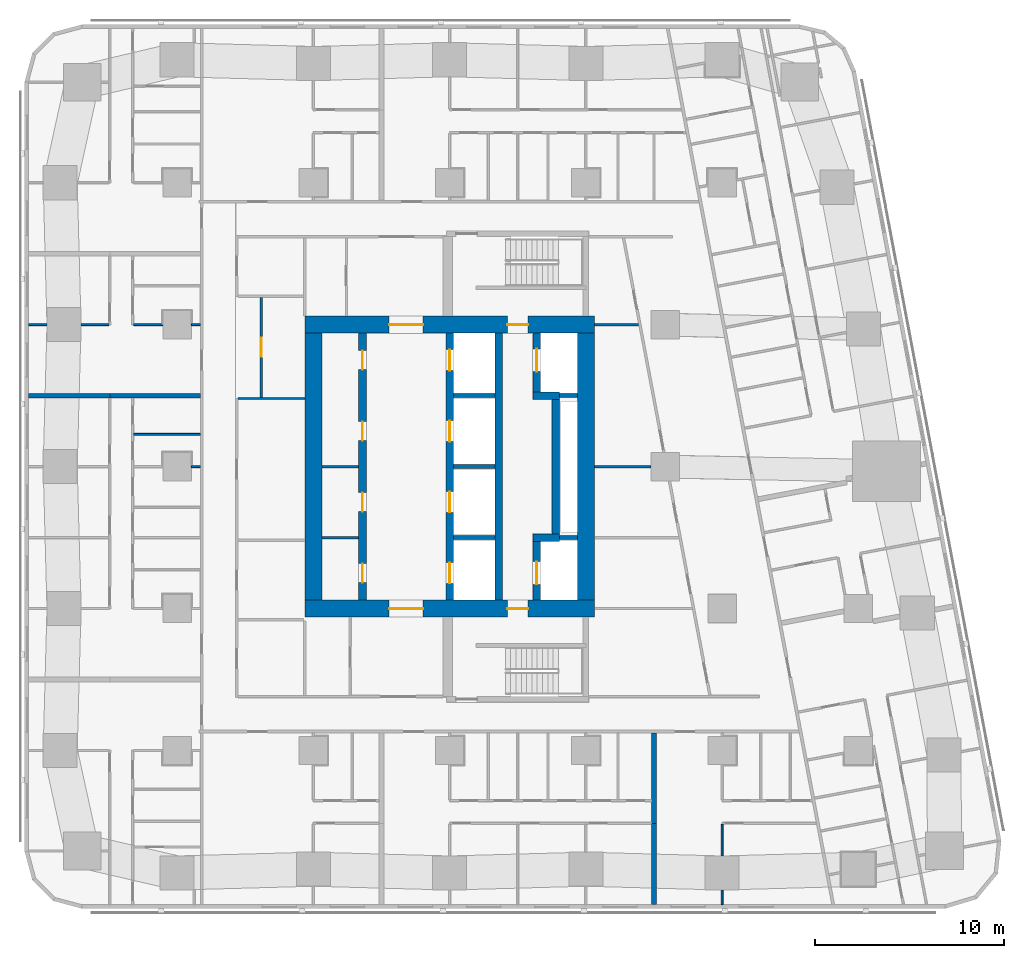
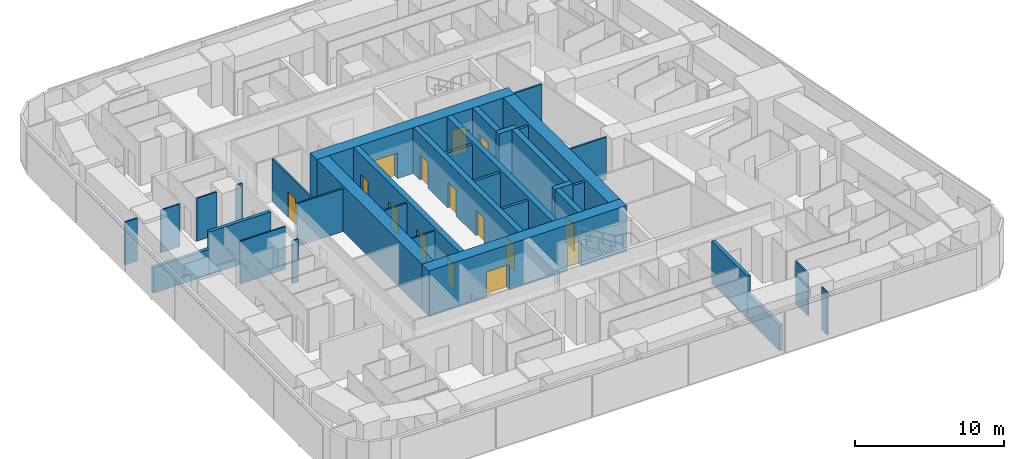
# One storey, part 6 of 15: 35 walls, 15 doors, 15 openings.
"""IFC4 building model written with IfcOpenShell, lengths in metres."""

from ifc_helpers import new_model, si_unit, direction, frame, frame_2d, origin, place, context, subcontext, project, spatial, rectangle, extrude, material, layer, layer_set, type_object, element, fill, save


model = new_model("IFC4")

# Units and contexts
model_context = context("Model", 3, precision=1e-05, world=origin(), true_north=direction((0.0, 1.0)))
body_context = subcontext(model_context, "Body", "Model", "MODEL_VIEW")
ifc_project = project(units=[si_unit("LENGTHUNIT", "METRE"), si_unit("AREAUNIT", "SQUARE_METRE"), si_unit("VOLUMEUNIT", "CUBIC_METRE"), si_unit("PLANEANGLEUNIT", "RADIAN"), si_unit("MASSUNIT", "GRAM", prefix="KILO")], contexts=[model_context])

# Site, building, storey
site_placement = place(None, origin())
site = spatial("IfcSite", under=ifc_project, at=site_placement, CompositionType="ELEMENT")
building_placement = place(site_placement, origin())
building = spatial("IfcBuilding", under=site, at=building_placement, Name="Sheger Commons Tower", CompositionType="ELEMENT")
storey_placement = place(building_placement, frame((0.0, 0.0, 139.550048828125)))
storey = spatial("IfcBuildingStorey", under=building, at=storey_placement, Name="L35", CompositionType="ELEMENT", Elevation=139.550048828125)

# Wall, openings, doors
ifc_material_1 = material(Name="Concrete C50/60", Category="concrete")
ifc_layer_1 = layer(ifc_material_1, 0.39990234375)
ifc_layer_set_1 = layer_set([ifc_layer_1], Name="CORE INNER WALL 400")
wall_type_1 = type_object("IfcWallType", Name="CORE INNER WALL 400", PredefinedType="SHEAR", material=ifc_layer_set_1)
wall_1_placement = place(storey_placement, frame((17.0, 15.449951171875, 0.0), z_axis=(0.0, 0.0, 1.0), x_axis=(0.0, 1.0, 0.0)))
wall_1 = element("IfcWall", 1, at=wall_1_placement, inside=storey, type_object=wall_type_1, Name="Core inner wall A L35", PredefinedType="SHEAR", context=body_context, shape_type="SweptSolid", body=[
    extrude(rectangle(XDim=14.10009765625, YDim=0.39990234375, at=frame_2d((7.050048828125, 0.0))), origin(), (0.0, 0.0, 1.0), 3.75),
])
opening_1_placement = place(wall_1_placement, frame((0.925048828125, 0.0, 0.0)))
opening_1 = element("IfcOpeningElement", 2, at=opening_1_placement, cuts=wall_1, Name="Opening D4", PredefinedType="OPENING", context=body_context, shape_type="SweptSolid", body=[
    extrude(rectangle(XDim=1.0, YDim=2.10009765625, at=frame_2d((0.5, 1.050048828125))), frame((0.0, 0.2099609375, 0.0), z_axis=(0.0, -1.0, 0.0), x_axis=(1.0, 0.0, 0.0)), (0.0, 0.0, 1.0), 0.419921875),
])
opening_2_placement = place(wall_1_placement, frame((4.675048828125, 0.0, 0.0)))
opening_2 = element("IfcOpeningElement", 3, at=opening_2_placement, cuts=wall_1, Name="Opening D4", PredefinedType="OPENING", context=body_context, shape_type="SweptSolid", body=[
    extrude(rectangle(XDim=1.0, YDim=2.10009765625, at=frame_2d((0.5, 1.050048828125))), frame((0.0, 0.2099609375, 0.0), z_axis=(0.0, -1.0, 0.0), x_axis=(1.0, 0.0, 0.0)), (0.0, 0.0, 1.0), 0.419921875),
])
opening_3_placement = place(wall_1_placement, frame((8.425048828125, 0.0, 0.0)))
opening_3 = element("IfcOpeningElement", 4, at=opening_3_placement, cuts=wall_1, Name="Opening D4", PredefinedType="OPENING", context=body_context, shape_type="SweptSolid", body=[
    extrude(rectangle(XDim=1.0, YDim=2.10009765625, at=frame_2d((0.5, 1.050048828125))), frame((0.0, 0.2099609375, 0.0), z_axis=(0.0, -1.0, 0.0), x_axis=(1.0, 0.0, 0.0)), (0.0, 0.0, 1.0), 0.419921875),
])
opening_4_placement = place(wall_1_placement, frame((12.175048828125, 0.0, 0.0)))
opening_4 = element("IfcOpeningElement", 5, at=opening_4_placement, cuts=wall_1, Name="Opening D4", PredefinedType="OPENING", context=body_context, shape_type="SweptSolid", body=[
    extrude(rectangle(XDim=1.0, YDim=2.10009765625, at=frame_2d((0.5, 1.050048828125))), frame((0.0, 0.2099609375, 0.0), z_axis=(0.0, -1.0, 0.0), x_axis=(1.0, 0.0, 0.0)), (0.0, 0.0, 1.0), 0.419921875),
])
ifc_material_2 = material(Name="Steel door set, fire rated", Category="steel")
door_type_1 = type_object("IfcDoorType", Name="SERVICE DOOR 1000x2100", OperationType="NOTDEFINED", PredefinedType="DOOR", material=ifc_material_2)
door_1_placement = place(opening_1_placement, origin())
door_1 = element("IfcDoor", 6, at=door_1_placement, inside=storey, type_object=door_type_1, Name="Staff WC door", OperationType="SINGLE_SWING_LEFT", OverallHeight=2.10009765625, OverallWidth=1.0, PredefinedType="DOOR", context=body_context, shape_type="SweptSolid", body=[
    extrude(rectangle(XDim=1.0, YDim=2.10009765625, at=frame_2d((0.5, 1.050048828125))), frame((0.0, 0.02490234375, 0.0), z_axis=(0.0, -1.0, 0.0), x_axis=(1.0, 0.0, 0.0)), (0.0, 0.0, 1.0), 0.050048828125),
])
fill(opening_1, door_1)
door_2_placement = place(opening_2_placement, origin())
door_2 = element("IfcDoor", 7, at=door_2_placement, inside=storey, type_object=door_type_1, Name="Cleaner's store door", OperationType="SINGLE_SWING_LEFT", OverallHeight=2.10009765625, OverallWidth=1.0, PredefinedType="DOOR", context=body_context, shape_type="SweptSolid", body=[
    extrude(rectangle(XDim=1.0, YDim=2.10009765625, at=frame_2d((0.5, 1.050048828125))), frame((0.0, 0.02490234375, 0.0), z_axis=(0.0, -1.0, 0.0), x_axis=(1.0, 0.0, 0.0)), (0.0, 0.0, 1.0), 0.050048828125),
])
fill(opening_2, door_2)
door_3_placement = place(opening_3_placement, origin())
door_3 = element("IfcDoor", 8, at=door_3_placement, inside=storey, type_object=door_type_1, Name="Linen and housekeeping store door", OperationType="SINGLE_SWING_LEFT", OverallHeight=2.10009765625, OverallWidth=1.0, PredefinedType="DOOR", context=body_context, shape_type="SweptSolid", body=[
    extrude(rectangle(XDim=1.0, YDim=2.10009765625, at=frame_2d((0.5, 1.050048828125))), frame((0.0, 0.02490234375, 0.0), z_axis=(0.0, -1.0, 0.0), x_axis=(1.0, 0.0, 0.0)), (0.0, 0.0, 1.0), 0.050048828125),
])
fill(opening_3, door_3)
door_4_placement = place(opening_4_placement, origin())
door_4 = element("IfcDoor", 9, at=door_4_placement, inside=storey, type_object=door_type_1, Name="Linen and housekeeping store door", OperationType="SINGLE_SWING_RIGHT", OverallHeight=2.10009765625, OverallWidth=1.0, PredefinedType="DOOR", context=body_context, shape_type="SweptSolid", body=[
    extrude(rectangle(XDim=1.0, YDim=2.10009765625, at=frame_2d((0.5, 1.050048828125))), frame((0.0, 0.02490234375, 0.0), z_axis=(0.0, -1.0, 0.0), x_axis=(1.0, 0.0, 0.0)), (0.0, 0.0, 1.0), 0.050048828125),
])
fill(opening_4, door_4)

wall_2_placement = place(storey_placement, frame((21.60009765625, 15.449951171875, 0.0), z_axis=(0.0, 0.0, 1.0), x_axis=(0.0, 1.0, 0.0)))
wall_2 = element("IfcWall", 10, at=wall_2_placement, inside=storey, type_object=wall_type_1, Name="Core inner wall L L35", PredefinedType="SHEAR", context=body_context, shape_type="SweptSolid", body=[
    extrude(rectangle(XDim=14.10009765625, YDim=0.39990234375, at=frame_2d((7.050048828125, 0.0))), origin(), (0.0, 0.0, 1.0), 3.75),
])
opening_5_placement = place(wall_2_placement, frame((0.875, 0.0, 0.0)))
opening_5 = element("IfcOpeningElement", 11, at=opening_5_placement, cuts=wall_2, Name="Opening LD", PredefinedType="OPENING", context=body_context, shape_type="SweptSolid", body=[
    extrude(rectangle(XDim=1.10009765625, YDim=2.10009765625, at=frame_2d((0.550048828125, 1.050048828125))), frame((0.0, 0.2099609375, 0.0), z_axis=(0.0, -1.0, 0.0), x_axis=(1.0, 0.0, 0.0)), (0.0, 0.0, 1.0), 0.419921875),
])
opening_6_placement = place(wall_2_placement, frame((4.625, 0.0, 0.0)))
opening_6 = element("IfcOpeningElement", 12, at=opening_6_placement, cuts=wall_2, Name="Opening LD", PredefinedType="OPENING", context=body_context, shape_type="SweptSolid", body=[
    extrude(rectangle(XDim=1.10009765625, YDim=2.10009765625, at=frame_2d((0.550048828125, 1.050048828125))), frame((0.0, 0.2099609375, 0.0), z_axis=(0.0, -1.0, 0.0), x_axis=(1.0, 0.0, 0.0)), (0.0, 0.0, 1.0), 0.419921875),
])
opening_7_placement = place(wall_2_placement, frame((8.375, 0.0, 0.0)))
opening_7 = element("IfcOpeningElement", 13, at=opening_7_placement, cuts=wall_2, Name="Opening LD", PredefinedType="OPENING", context=body_context, shape_type="SweptSolid", body=[
    extrude(rectangle(XDim=1.10009765625, YDim=2.10009765625, at=frame_2d((0.550048828125, 1.050048828125))), frame((0.0, 0.2099609375, 0.0), z_axis=(0.0, -1.0, 0.0), x_axis=(1.0, 0.0, 0.0)), (0.0, 0.0, 1.0), 0.419921875),
])
opening_8_placement = place(wall_2_placement, frame((12.125, 0.0, 0.0)))
opening_8 = element("IfcOpeningElement", 14, at=opening_8_placement, cuts=wall_2, Name="Opening LD", PredefinedType="OPENING", context=body_context, shape_type="SweptSolid", body=[
    extrude(rectangle(XDim=1.10009765625, YDim=2.10009765625, at=frame_2d((0.550048828125, 1.050048828125))), frame((0.0, 0.2099609375, 0.0), z_axis=(0.0, -1.0, 0.0), x_axis=(1.0, 0.0, 0.0)), (0.0, 0.0, 1.0), 0.419921875),
])
ifc_material_3 = material(Name="Steel door set, fire rated", Category="steel")
door_type_2 = type_object("IfcDoorType", Name="LIFT LANDING DOOR 1100x2100", OperationType="DOUBLE_DOOR_SLIDING", PredefinedType="DOOR", material=ifc_material_3)
door_5_placement = place(opening_5_placement, origin())
door_5 = element("IfcDoor", 15, at=door_5_placement, inside=storey, type_object=door_type_2, Name="Lift LB1 landing door", OperationType="DOUBLE_DOOR_SLIDING", OverallHeight=2.10009765625, OverallWidth=1.10009765625, PredefinedType="DOOR", context=body_context, shape_type="SweptSolid", body=[
    extrude(rectangle(XDim=1.10009765625, YDim=2.10009765625, at=frame_2d((0.550048828125, 1.050048828125))), frame((0.0, 0.02490234375, 0.0), z_axis=(0.0, -1.0, 0.0), x_axis=(1.0, 0.0, 0.0)), (0.0, 0.0, 1.0), 0.050048828125),
])
fill(opening_5, door_5)
door_6_placement = place(opening_6_placement, origin())
door_6 = element("IfcDoor", 16, at=door_6_placement, inside=storey, type_object=door_type_2, Name="Lift LB2 landing door", OperationType="DOUBLE_DOOR_SLIDING", OverallHeight=2.10009765625, OverallWidth=1.10009765625, PredefinedType="DOOR", context=body_context, shape_type="SweptSolid", body=[
    extrude(rectangle(XDim=1.10009765625, YDim=2.10009765625, at=frame_2d((0.550048828125, 1.050048828125))), frame((0.0, 0.02490234375, 0.0), z_axis=(0.0, -1.0, 0.0), x_axis=(1.0, 0.0, 0.0)), (0.0, 0.0, 1.0), 0.050048828125),
])
fill(opening_6, door_6)
door_7_placement = place(opening_7_placement, origin())
door_7 = element("IfcDoor", 17, at=door_7_placement, inside=storey, type_object=door_type_2, Name="Lift LB3 landing door", OperationType="DOUBLE_DOOR_SLIDING", OverallHeight=2.10009765625, OverallWidth=1.10009765625, PredefinedType="DOOR", context=body_context, shape_type="SweptSolid", body=[
    extrude(rectangle(XDim=1.10009765625, YDim=2.10009765625, at=frame_2d((0.550048828125, 1.050048828125))), frame((0.0, 0.02490234375, 0.0), z_axis=(0.0, -1.0, 0.0), x_axis=(1.0, 0.0, 0.0)), (0.0, 0.0, 1.0), 0.050048828125),
])
fill(opening_7, door_7)
door_8_placement = place(opening_8_placement, origin())
door_8 = element("IfcDoor", 18, at=door_8_placement, inside=storey, type_object=door_type_2, Name="Lift LB4 landing door", OperationType="DOUBLE_DOOR_SLIDING", OverallHeight=2.10009765625, OverallWidth=1.10009765625, PredefinedType="DOOR", context=body_context, shape_type="SweptSolid", body=[
    extrude(rectangle(XDim=1.10009765625, YDim=2.10009765625, at=frame_2d((0.550048828125, 1.050048828125))), frame((0.0, 0.02490234375, 0.0), z_axis=(0.0, -1.0, 0.0), x_axis=(1.0, 0.0, 0.0)), (0.0, 0.0, 1.0), 0.050048828125),
])
fill(opening_8, door_8)

# Wall
wall_3_placement = place(storey_placement, frame((24.199951171875, 15.449951171875, 0.0), z_axis=(0.0, 0.0, 1.0), x_axis=(0.0, 1.0, 0.0)))
element("IfcWall", 19, at=wall_3_placement, inside=storey, type_object=wall_type_1, Name="Core inner wall B L35", PredefinedType="SHEAR", context=body_context, shape_type="SweptSolid", body=[
    extrude(rectangle(XDim=14.10009765625, YDim=0.39990234375, at=frame_2d((7.050048828125, 0.0))), origin(), (0.0, 0.0, 1.0), 3.75),
])

# Wall, opening, door
wall_4_placement = place(storey_placement, frame((26.199951171875, 15.449951171875, 0.0), z_axis=(0.0, 0.0, 1.0), x_axis=(0.0, 1.0, 0.0)))
wall_4 = element("IfcWall", 20, at=wall_4_placement, inside=storey, type_object=wall_type_1, Name="Core inner wall F L35", PredefinedType="SHEAR", context=body_context, shape_type="SweptSolid", body=[
    extrude(rectangle(XDim=3.10009765625, YDim=0.39990234375, at=frame_2d((1.550048828125, 0.0))), origin(), (0.0, 0.0, 1.0), 3.75),
])
opening_9_placement = place(wall_4_placement, frame((0.824951171875, 0.0, 0.0)))
opening_9 = element("IfcOpeningElement", 21, at=opening_9_placement, cuts=wall_4, Name="Opening LD2", PredefinedType="OPENING", context=body_context, shape_type="SweptSolid", body=[
    extrude(rectangle(XDim=1.199951171875, YDim=2.10009765625, at=frame_2d((0.60009765625, 1.050048828125))), frame((0.0, 0.2099609375, 0.0), z_axis=(0.0, -1.0, 0.0), x_axis=(1.0, 0.0, 0.0)), (0.0, 0.0, 1.0), 0.419921875),
])
ifc_material_4 = material(Name="Steel door set, fire rated", Category="steel")
door_type_3 = type_object("IfcDoorType", Name="FIREFIGHTING LIFT LANDING DOOR 1200x2100", OperationType="DOUBLE_DOOR_SLIDING", PredefinedType="DOOR", material=ifc_material_4)
door_9_placement = place(opening_9_placement, origin())
door_9 = element("IfcDoor", 22, at=door_9_placement, inside=storey, type_object=door_type_3, Name="Lift FL1 landing door", OperationType="DOUBLE_DOOR_SLIDING", OverallHeight=2.10009765625, OverallWidth=1.199951171875, PredefinedType="DOOR", context=body_context, shape_type="SweptSolid", body=[
    extrude(rectangle(XDim=1.199951171875, YDim=2.10009765625, at=frame_2d((0.60009765625, 1.050048828125))), frame((0.0, 0.02490234375, 0.0), z_axis=(0.0, -1.0, 0.0), x_axis=(1.0, 0.0, 0.0)), (0.0, 0.0, 1.0), 0.050048828125),
])
fill(opening_9, door_9)

# Walls
wall_5_placement = place(storey_placement, frame((26.0, 18.75, 0.0), z_axis=(0.0, 0.0, 1.0), x_axis=(1.0, 0.0, 0.0)))
element("IfcWall", 23, at=wall_5_placement, inside=storey, type_object=wall_type_1, Name="Core inner wall F south return L35", PredefinedType="SHEAR", context=body_context, shape_type="SweptSolid", body=[
    extrude(rectangle(XDim=1.39990234375, YDim=0.39990234375, at=frame_2d((0.699951171875, 0.0))), origin(), (0.0, 0.0, 1.0), 3.75),
])
wall_6_placement = place(storey_placement, frame((27.199951171875, 18.949951171875, 0.0), z_axis=(0.0, 0.0, 1.0), x_axis=(0.0, 1.0, 0.0)))
element("IfcWall", 24, at=wall_6_placement, inside=storey, type_object=wall_type_1, Name="Core inner wall F middle L35", PredefinedType="SHEAR", context=body_context, shape_type="SweptSolid", body=[
    extrude(rectangle(XDim=7.10009765625, YDim=0.39990234375, at=frame_2d((3.550048828125, 0.0))), origin(), (0.0, 0.0, 1.0), 3.75),
])
wall_7_placement = place(storey_placement, frame((26.0, 26.25, 0.0), z_axis=(0.0, 0.0, 1.0), x_axis=(1.0, 0.0, 0.0)))
element("IfcWall", 25, at=wall_7_placement, inside=storey, type_object=wall_type_1, Name="Core inner wall F north return L35", PredefinedType="SHEAR", context=body_context, shape_type="SweptSolid", body=[
    extrude(rectangle(XDim=1.39990234375, YDim=0.39990234375, at=frame_2d((0.699951171875, 0.0))), origin(), (0.0, 0.0, 1.0), 3.75),
])

# Wall, opening, door
wall_8_placement = place(storey_placement, frame((26.199951171875, 26.449951171875, 0.0), z_axis=(0.0, 0.0, 1.0), x_axis=(0.0, 1.0, 0.0)))
wall_8 = element("IfcWall", 26, at=wall_8_placement, inside=storey, type_object=wall_type_1, Name="Core inner wall F north L35", PredefinedType="SHEAR", context=body_context, shape_type="SweptSolid", body=[
    extrude(rectangle(XDim=3.10009765625, YDim=0.39990234375, at=frame_2d((1.550048828125, 0.0))), origin(), (0.0, 0.0, 1.0), 3.75),
])
opening_10_placement = place(wall_8_placement, frame((1.074951171875, 0.0, 0.0)))
opening_10 = element("IfcOpeningElement", 27, at=opening_10_placement, cuts=wall_8, Name="Opening LD2", PredefinedType="OPENING", context=body_context, shape_type="SweptSolid", body=[
    extrude(rectangle(XDim=1.199951171875, YDim=2.10009765625, at=frame_2d((0.60009765625, 1.050048828125))), frame((0.0, 0.2099609375, 0.0), z_axis=(0.0, -1.0, 0.0), x_axis=(1.0, 0.0, 0.0)), (0.0, 0.0, 1.0), 0.419921875),
])
door_10_placement = place(opening_10_placement, origin())
door_10 = element("IfcDoor", 28, at=door_10_placement, inside=storey, type_object=door_type_3, Name="Lift FL2 landing door", OperationType="DOUBLE_DOOR_SLIDING", OverallHeight=2.10009765625, OverallWidth=1.199951171875, PredefinedType="DOOR", context=body_context, shape_type="SweptSolid", body=[
    extrude(rectangle(XDim=1.199951171875, YDim=2.10009765625, at=frame_2d((0.60009765625, 1.050048828125))), frame((0.0, 0.02490234375, 0.0), z_axis=(0.0, -1.0, 0.0), x_axis=(1.0, 0.0, 0.0)), (0.0, 0.0, 1.0), 0.050048828125),
])
fill(opening_10, door_10)

# Wall, openings, doors
ifc_material_5 = material(Name="Concrete C50/60", Category="concrete")
ifc_layer_2 = layer(ifc_material_5, 0.89990234375)
ifc_layer_set_2 = layer_set([ifc_layer_2], Name="CORE WALL 900")
wall_type_2 = type_object("IfcWallType", Name="CORE WALL 900", PredefinedType="SHEAR", material=ifc_layer_set_2)
wall_9_placement = place(storey_placement, frame((13.949951171875, 15.0, 0.0), z_axis=(0.0, 0.0, 1.0), x_axis=(1.0, 0.0, 0.0)))
wall_9 = element("IfcWall", 29, at=wall_9_placement, inside=storey, type_object=wall_type_2, Name="Core wall south L35", PredefinedType="SHEAR", context=body_context, shape_type="SweptSolid", body=[
    extrude(rectangle(XDim=15.300048828125, YDim=0.89990234375, at=frame_2d((7.64990234375, 0.0))), origin(), (0.0, 0.0, 1.0), 3.75),
])
opening_11_placement = place(wall_9_placement, frame((4.449951171875, 0.0, 0.0)))
opening_11 = element("IfcOpeningElement", 30, at=opening_11_placement, cuts=wall_9, Name="Opening D6", PredefinedType="OPENING", context=body_context, shape_type="SweptSolid", body=[
    extrude(rectangle(XDim=1.800048828125, YDim=2.10009765625, at=frame_2d((0.89990234375, 1.050048828125))), frame((0.0, 0.4599609375, 0.0), z_axis=(0.0, -1.0, 0.0), x_axis=(1.0, 0.0, 0.0)), (0.0, 0.0, 1.0), 0.919921875),
])
opening_12_placement = place(wall_9_placement, frame((10.699951171875, 0.0, 0.0)))
opening_12 = element("IfcOpeningElement", 31, at=opening_12_placement, cuts=wall_9, Name="Opening D5", PredefinedType="OPENING", context=body_context, shape_type="SweptSolid", body=[
    extrude(rectangle(XDim=1.10009765625, YDim=2.10009765625, at=frame_2d((0.550048828125, 1.050048828125))), frame((0.0, 0.4599609375, 0.0), z_axis=(0.0, -1.0, 0.0), x_axis=(1.0, 0.0, 0.0)), (0.0, 0.0, 1.0), 0.919921875),
])
ifc_material_6 = material(Name="Steel door set, fire rated", Category="steel")
door_type_4 = type_object("IfcDoorType", Name="LOBBY DOUBLE DOOR 1800x2100", OperationType="DOUBLE_DOOR_SINGLE_SWING", PredefinedType="DOOR", material=ifc_material_6)
door_11_placement = place(opening_11_placement, origin())
door_11 = element("IfcDoor", 32, at=door_11_placement, inside=storey, type_object=door_type_4, Name="Lift lobby door", OperationType="DOUBLE_DOOR_SINGLE_SWING", OverallHeight=2.10009765625, OverallWidth=1.800048828125, PredefinedType="DOOR", context=body_context, shape_type="SweptSolid", body=[
    extrude(rectangle(XDim=1.800048828125, YDim=2.10009765625, at=frame_2d((0.89990234375, 1.050048828125))), frame((0.0, 0.02490234375, 0.0), z_axis=(0.0, -1.0, 0.0), x_axis=(1.0, 0.0, 0.0)), (0.0, 0.0, 1.0), 0.050048828125),
])
fill(opening_11, door_11)
ifc_material_7 = material(Name="Steel door set, fire rated", Category="steel")
door_type_5 = type_object("IfcDoorType", Name="STAIR DOOR 1100x2100", OperationType="NOTDEFINED", PredefinedType="DOOR", material=ifc_material_7)
door_12_placement = place(opening_12_placement, origin())
door_12 = element("IfcDoor", 33, at=door_12_placement, inside=storey, type_object=door_type_5, Name="Fire-fighting lobby door", OperationType="SINGLE_SWING_RIGHT", OverallHeight=2.10009765625, OverallWidth=1.10009765625, PredefinedType="DOOR", context=body_context, shape_type="SweptSolid", body=[
    extrude(rectangle(XDim=1.10009765625, YDim=2.10009765625, at=frame_2d((0.550048828125, 1.050048828125))), frame((0.0, 0.02490234375, 0.0), z_axis=(0.0, -1.0, 0.0), x_axis=(1.0, 0.0, 0.0)), (0.0, 0.0, 1.0), 0.050048828125),
])
fill(opening_12, door_12)

wall_10_placement = place(storey_placement, frame((13.949951171875, 30.0, 0.0), z_axis=(0.0, 0.0, 1.0), x_axis=(1.0, 0.0, 0.0)))
wall_10 = element("IfcWall", 34, at=wall_10_placement, inside=storey, type_object=wall_type_2, Name="Core wall north L35", PredefinedType="SHEAR", context=body_context, shape_type="SweptSolid", body=[
    extrude(rectangle(XDim=15.300048828125, YDim=0.89990234375, at=frame_2d((7.64990234375, 0.0))), origin(), (0.0, 0.0, 1.0), 3.75),
])
opening_13_placement = place(wall_10_placement, frame((4.449951171875, 0.0, 0.0)))
opening_13 = element("IfcOpeningElement", 35, at=opening_13_placement, cuts=wall_10, Name="Opening D6", PredefinedType="OPENING", context=body_context, shape_type="SweptSolid", body=[
    extrude(rectangle(XDim=1.800048828125, YDim=2.10009765625, at=frame_2d((0.89990234375, 1.050048828125))), frame((0.0, 0.4599609375, 0.0), z_axis=(0.0, -1.0, 0.0), x_axis=(1.0, 0.0, 0.0)), (0.0, 0.0, 1.0), 0.919921875),
])
opening_14_placement = place(wall_10_placement, frame((10.699951171875, 0.0, 0.0)))
opening_14 = element("IfcOpeningElement", 36, at=opening_14_placement, cuts=wall_10, Name="Opening D5", PredefinedType="OPENING", context=body_context, shape_type="SweptSolid", body=[
    extrude(rectangle(XDim=1.10009765625, YDim=2.10009765625, at=frame_2d((0.550048828125, 1.050048828125))), frame((0.0, 0.4599609375, 0.0), z_axis=(0.0, -1.0, 0.0), x_axis=(1.0, 0.0, 0.0)), (0.0, 0.0, 1.0), 0.919921875),
])
door_13_placement = place(opening_13_placement, origin())
door_13 = element("IfcDoor", 37, at=door_13_placement, inside=storey, type_object=door_type_4, Name="Lift lobby door", OperationType="DOUBLE_DOOR_SINGLE_SWING", OverallHeight=2.10009765625, OverallWidth=1.800048828125, PredefinedType="DOOR", context=body_context, shape_type="SweptSolid", body=[
    extrude(rectangle(XDim=1.800048828125, YDim=2.10009765625, at=frame_2d((0.89990234375, 1.050048828125))), frame((0.0, 0.02490234375, 0.0), z_axis=(0.0, -1.0, 0.0), x_axis=(1.0, 0.0, 0.0)), (0.0, 0.0, 1.0), 0.050048828125),
])
fill(opening_13, door_13)
door_14_placement = place(opening_14_placement, origin())
door_14 = element("IfcDoor", 38, at=door_14_placement, inside=storey, type_object=door_type_5, Name="Fire-fighting lobby door", OperationType="SINGLE_SWING_RIGHT", OverallHeight=2.10009765625, OverallWidth=1.10009765625, PredefinedType="DOOR", context=body_context, shape_type="SweptSolid", body=[
    extrude(rectangle(XDim=1.10009765625, YDim=2.10009765625, at=frame_2d((0.550048828125, 1.050048828125))), frame((0.0, 0.02490234375, 0.0), z_axis=(0.0, -1.0, 0.0), x_axis=(1.0, 0.0, 0.0)), (0.0, 0.0, 1.0), 0.050048828125),
])
fill(opening_14, door_14)

# Walls
for number, where, z_axis, x_axis, name in (
    (39, (14.39990234375, 15.449951171875, 0.0), (0.0, 0.0, 1.0), (0.0, 1.0, 0.0), "Core wall west L35"),
    (40, (28.800048828125, 15.449951171875, 0.0), (0.0, 0.0, 1.0), (0.0, 1.0, 0.0), "Core wall east L35"),
):
    element("IfcWall", number, at=place(storey_placement, frame(where, z_axis=z_axis, x_axis=x_axis)), inside=storey, type_object=wall_type_2, Name=name, PredefinedType="SHEAR", context=body_context, shape_type="SweptSolid", body=[
        extrude(rectangle(XDim=14.10009765625, YDim=0.89990234375, at=frame_2d((7.050048828125, 0.0))), origin(), (0.0, 0.0, 1.0), 3.75),
    ])
ifc_material_8 = material(Name="Dense concrete block masonry, plastered both sides (separating wall between flats)", Category="masonry")
ifc_layer_3 = layer(ifc_material_8, 0.25)
ifc_layer_set_3 = layer_set([ifc_layer_3], Name="DEMISING WALL 250")
wall_type_3 = type_object("IfcWallType", Name="DEMISING WALL 250", PredefinedType="SOLIDWALL", material=ifc_layer_set_3)
wall_11_placement = place(storey_placement, frame((-0.64990234375, 26.25, 0.0), z_axis=(0.0, 0.0, 1.0), x_axis=(1.0, 0.0, 0.0)))
element("IfcWall", 41, at=wall_11_placement, inside=storey, type_object=wall_type_3, Name="Demising wall L35", PredefinedType="SOLIDWALL", context=body_context, shape_type="SweptSolid", body=[
    extrude(rectangle(XDim=4.2998046875, YDim=0.25, at=frame_2d((2.14990234375, 0.0))), origin(), (0.0, 0.0, 1.0), 2.099853515625),
])
wall_12_placement = place(storey_placement, frame((3.64990234375, 26.25, 0.0), z_axis=(0.0, 0.0, 1.0), x_axis=(1.0, 0.0, 0.0)))
element("IfcWall", 42, at=wall_12_placement, inside=storey, type_object=wall_type_3, Name="Demising wall L35", PredefinedType="SOLIDWALL", context=body_context, shape_type="SweptSolid", body=[
    extrude(rectangle(XDim=4.775146484375, YDim=0.25, at=frame_2d((2.3876953125, 0.0))), origin(), (0.0, 0.0, 1.0), 3.5),
])
wall_13_placement = place(storey_placement, frame((32.39990234375, -0.64990234375, 0.0), z_axis=(0.0, 0.0, 1.0), x_axis=(0.0, 1.0, 0.0)))
element("IfcWall", 43, at=wall_13_placement, inside=storey, type_object=wall_type_3, Name="Demising wall L35", PredefinedType="SOLIDWALL", context=body_context, shape_type="SweptSolid", body=[
    extrude(rectangle(XDim=4.2998046875, YDim=0.25, at=frame_2d((2.14990234375, 0.0))), origin(), (0.0, 0.0, 1.0), 2.099853515625),
])
wall_14_placement = place(storey_placement, frame((32.39990234375, 3.64990234375, 0.0), z_axis=(0.0, 0.0, 1.0), x_axis=(0.0, 1.0, 0.0)))
element("IfcWall", 44, at=wall_14_placement, inside=storey, type_object=wall_type_3, Name="Demising wall L35", PredefinedType="SOLIDWALL", context=body_context, shape_type="SweptSolid", body=[
    extrude(rectangle(XDim=4.775146484375, YDim=0.25, at=frame_2d((2.3876953125, 0.0))), origin(), (0.0, 0.0, 1.0), 3.5),
])
ifc_material_9 = material(Name="Gypsum board on steel studs", Category="steel")
ifc_layer_4 = layer(ifc_material_9, 0.10009765625)
ifc_layer_set_4 = layer_set([ifc_layer_4], Name="PARTITION 100")
wall_type_4 = type_object("IfcWallType", Name="PARTITION 100", PredefinedType="PARTITIONING", material=ifc_layer_set_4)
wall_15_placement = place(storey_placement, frame((7.950927734375, 22.5, 0.0), z_axis=(0.0, 0.0, 1.0), x_axis=(1.0, 0.0, 0.0)))
element("IfcWall", 45, at=wall_15_placement, inside=storey, type_object=wall_type_4, Name="Partition L35", PredefinedType="PARTITIONING", context=body_context, shape_type="SweptSolid", body=[
    extrude(rectangle(XDim=0.47412109375, YDim=0.10009765625, at=frame_2d((0.237060546875, 0.0))), origin(), (0.0, 0.0, 1.0), 3.5),
])
wall_16_placement = place(storey_placement, frame((4.89990234375, 24.199951171875, 0.0), z_axis=(0.0, 0.0, 1.0), x_axis=(1.0, 0.0, 0.0)))
element("IfcWall", 46, at=wall_16_placement, inside=storey, type_object=wall_type_4, Name="Partition L35", PredefinedType="PARTITIONING", context=body_context, shape_type="SweptSolid", body=[
    extrude(rectangle(XDim=3.525146484375, YDim=0.10009765625, at=frame_2d((1.7626953125, 0.0))), origin(), (0.0, 0.0, 1.0), 3.5),
])
wall_17_placement = place(storey_placement, frame((-0.64990234375, 30.0, 0.0), z_axis=(0.0, 0.0, 1.0), x_axis=(1.0, 0.0, 0.0)))
element("IfcWall", 47, at=wall_17_placement, inside=storey, type_object=wall_type_4, Name="Partition L35", PredefinedType="PARTITIONING", context=body_context, shape_type="SweptSolid", body=[
    extrude(rectangle(XDim=0.973876953125, YDim=0.10009765625, at=frame_2d((0.48681640625, 0.0))), origin(), (0.0, 0.0, 1.0), 3.5),
])
wall_18_placement = place(storey_placement, frame((2.1259765625, 30.0, 0.0), z_axis=(0.0, 0.0, 1.0), x_axis=(1.0, 0.0, 0.0)))
element("IfcWall", 48, at=wall_18_placement, inside=storey, type_object=wall_type_4, Name="Partition L35", PredefinedType="PARTITIONING", context=body_context, shape_type="SweptSolid", body=[
    extrude(rectangle(XDim=1.47412109375, YDim=0.10009765625, at=frame_2d((0.737060546875, 0.0))), origin(), (0.0, 0.0, 1.0), 3.5),
])
wall_19_placement = place(storey_placement, frame((4.89990234375, 30.0, 0.0), z_axis=(0.0, 0.0, 1.0), x_axis=(1.0, 0.0, 0.0)))
element("IfcWall", 49, at=wall_19_placement, inside=storey, type_object=wall_type_4, Name="Partition L35", PredefinedType="PARTITIONING", context=body_context, shape_type="SweptSolid", body=[
    extrude(rectangle(XDim=1.549072265625, YDim=0.10009765625, at=frame_2d((0.7744140625, 0.0))), origin(), (0.0, 0.0, 1.0), 3.5),
])
wall_20_placement = place(storey_placement, frame((7.950927734375, 30.0, 0.0), z_axis=(0.0, 0.0, 1.0), x_axis=(1.0, 0.0, 0.0)))
element("IfcWall", 50, at=wall_20_placement, inside=storey, type_object=wall_type_4, Name="Partition L35", PredefinedType="PARTITIONING", context=body_context, shape_type="SweptSolid", body=[
    extrude(rectangle(XDim=0.47412109375, YDim=0.10009765625, at=frame_2d((0.237060546875, 0.0))), origin(), (0.0, 0.0, 1.0), 3.5),
])
wall_21_placement = place(storey_placement, frame((36.0, -0.64990234375, 0.0), z_axis=(0.0, 0.0, 1.0), x_axis=(0.0, 1.0, 0.0)))
element("IfcWall", 51, at=wall_21_placement, inside=storey, type_object=wall_type_4, Name="Partition L35", PredefinedType="PARTITIONING", context=body_context, shape_type="SweptSolid", body=[
    extrude(rectangle(XDim=0.77392578125, YDim=0.10009765625, at=frame_2d((0.386962890625, 0.0))), origin(), (0.0, 0.0, 1.0), 3.5),
])
wall_22_placement = place(storey_placement, frame((36.0, 1.926025390625, 0.0), z_axis=(0.0, 0.0, 1.0), x_axis=(0.0, 1.0, 0.0)))
element("IfcWall", 52, at=wall_22_placement, inside=storey, type_object=wall_type_4, Name="Partition L35", PredefinedType="PARTITIONING", context=body_context, shape_type="SweptSolid", body=[
    extrude(rectangle(XDim=1.674072265625, YDim=0.10009765625, at=frame_2d((0.8369140625, 0.0))), origin(), (0.0, 0.0, 1.0), 3.5),
])

# Wall, opening, door
ifc_material_10 = material(Name="Gypsum board on steel studs, two layers each side, fire rated", Category="steel")
ifc_layer_5 = layer(ifc_material_10, 0.125)
ifc_layer_set_5 = layer_set([ifc_layer_5], Name="SERVICE WALL 125")
wall_type_5 = type_object("IfcWallType", Name="SERVICE WALL 125", PredefinedType="PARTITIONING", material=ifc_layer_set_5)
wall_23_placement = place(storey_placement, frame((11.64990234375, 26.1630859375, 0.0), z_axis=(0.0, 0.0, 1.0), x_axis=(0.0, 1.0, 0.0)))
wall_23 = element("IfcWall", 53, at=wall_23_placement, inside=storey, type_object=wall_type_5, Name="Service room wall L35", PredefinedType="PARTITIONING", context=body_context, shape_type="SweptSolid", body=[
    extrude(rectangle(XDim=5.27490234375, YDim=0.125, at=frame_2d((2.637451171875, 0.0))), origin(), (0.0, 0.0, 1.0), 3.5),
])
opening_15_placement = place(wall_23_placement, frame((2.136962890625, 0.0, 0.0)))
opening_15 = element("IfcOpeningElement", 54, at=opening_15_placement, cuts=wall_23, Name="Opening D4", PredefinedType="OPENING", context=body_context, shape_type="SweptSolid", body=[
    extrude(rectangle(XDim=1.0, YDim=2.10009765625, at=frame_2d((0.5, 1.050048828125))), frame((0.0, 0.072509765625, 0.0), z_axis=(0.0, -1.0, 0.0), x_axis=(1.0, 0.0, 0.0)), (0.0, 0.0, 1.0), 0.14501953125),
])
door_15_placement = place(opening_15_placement, origin())
door_15 = element("IfcDoor", 55, at=door_15_placement, inside=storey, type_object=door_type_1, Name="Laundry and drying room door", OperationType="SINGLE_SWING_LEFT", OverallHeight=2.10009765625, OverallWidth=1.0, PredefinedType="DOOR", context=body_context, shape_type="SweptSolid", body=[
    extrude(rectangle(XDim=1.0, YDim=2.10009765625, at=frame_2d((0.5, 1.050048828125))), frame((0.0, 0.02490234375, 0.0), z_axis=(0.0, -1.0, 0.0), x_axis=(1.0, 0.0, 0.0)), (0.0, 0.0, 1.0), 0.050048828125),
])
fill(opening_15, door_15)

# Walls
wall_24_placement = place(storey_placement, frame((10.4130859375, 26.10009765625, 0.0), z_axis=(0.0, 0.0, 1.0), x_axis=(1.0, 0.0, 0.0)))
element("IfcWall", 56, at=wall_24_placement, inside=storey, type_object=wall_type_5, Name="Service room wall L35", PredefinedType="PARTITIONING", context=body_context, shape_type="SweptSolid", body=[
    extrude(rectangle(XDim=3.536865234375, YDim=0.125, at=frame_2d((1.7685546875, 0.0))), origin(), (0.0, 0.0, 1.0), 3.5),
])
wall_25_placement = place(storey_placement, frame((29.25, 22.5, 0.0), z_axis=(0.0, 0.0, 1.0), x_axis=(1.0, 0.0, 0.0)))
element("IfcWall", 57, at=wall_25_placement, inside=storey, type_object=wall_type_5, Name="Service room wall L35", PredefinedType="PARTITIONING", context=body_context, shape_type="SweptSolid", body=[
    extrude(rectangle(XDim=2.9990234375, YDim=0.125, at=frame_2d((1.49951171875, 0.0))), origin(), (0.0, 0.0, 1.0), 3.5),
])
wall_26_placement = place(storey_placement, frame((29.25, 30.0, 0.0), z_axis=(0.0, 0.0, 1.0), x_axis=(1.0, 0.0, 0.0)))
element("IfcWall", 58, at=wall_26_placement, inside=storey, type_object=wall_type_5, Name="Service room wall L35", PredefinedType="PARTITIONING", context=body_context, shape_type="SweptSolid", body=[
    extrude(rectangle(XDim=2.342041015625, YDim=0.125, at=frame_2d((1.1708984375, 0.0))), origin(), (0.0, 0.0, 1.0), 3.5),
])
for number, where, z_axis, x_axis, name in (
    (59, (14.85009765625, 18.75, 0.0), (0.0, 0.0, 1.0), (1.0, 0.0, 0.0), "Service room wall L35"),
    (60, (14.85009765625, 22.5, 0.0), (0.0, 0.0, 1.0), (1.0, 0.0, 0.0), "Service room wall L35"),
):
    element("IfcWall", number, at=place(storey_placement, frame(where, z_axis=z_axis, x_axis=x_axis)), inside=storey, type_object=wall_type_5, Name=name, PredefinedType="PARTITIONING", context=body_context, shape_type="SweptSolid", body=[
        extrude(rectangle(XDim=1.949951171875, YDim=0.125, at=frame_2d((0.97509765625, 0.0))), origin(), (0.0, 0.0, 1.0), 3.5),
    ])
ifc_material_11 = material(Name="Hollow concrete block masonry", Category="masonry")
ifc_layer_6 = layer(ifc_material_11, 0.199951171875)
ifc_layer_set_6 = layer_set([ifc_layer_6], Name="SHAFT WALL 200")
wall_type_6 = type_object("IfcWallType", Name="SHAFT WALL 200", PredefinedType="SOLIDWALL", material=ifc_layer_set_6)
for number, where, z_axis, x_axis, name in (
    (61, (21.800048828125, 18.75, 0.0), (0.0, 0.0, 1.0), (1.0, 0.0, 0.0), "Lift shaft wall L35"),
    (62, (21.800048828125, 22.5, 0.0), (0.0, 0.0, 1.0), (1.0, 0.0, 0.0), "Lift shaft wall L35"),
    (63, (21.800048828125, 26.25, 0.0), (0.0, 0.0, 1.0), (1.0, 0.0, 0.0), "Lift shaft wall L35"),
):
    element("IfcWall", number, at=place(storey_placement, frame(where, z_axis=z_axis, x_axis=x_axis)), inside=storey, type_object=wall_type_6, Name=name, PredefinedType="SOLIDWALL", context=body_context, shape_type="SweptSolid", body=[
        extrude(rectangle(XDim=2.199951171875, YDim=0.199951171875, at=frame_2d((1.10009765625, 0.0))), origin(), (0.0, 0.0, 1.0), 3.5),
    ])
for number, where, z_axis, x_axis, name in (
    (64, (27.39990234375, 18.75, 0.0), (0.0, 0.0, 1.0), (1.0, 0.0, 0.0), "Lift shaft wall L35"),
    (65, (27.39990234375, 26.25, 0.0), (0.0, 0.0, 1.0), (1.0, 0.0, 0.0), "Lift shaft wall L35"),
):
    element("IfcWall", number, at=place(storey_placement, frame(where, z_axis=z_axis, x_axis=x_axis)), inside=storey, type_object=wall_type_6, Name=name, PredefinedType="SOLIDWALL", context=body_context, shape_type="SweptSolid", body=[
        extrude(rectangle(XDim=0.9501953125, YDim=0.199951171875, at=frame_2d((0.47509765625, 0.0))), origin(), (0.0, 0.0, 1.0), 3.5),
    ])

save(model, "model.ifc")
